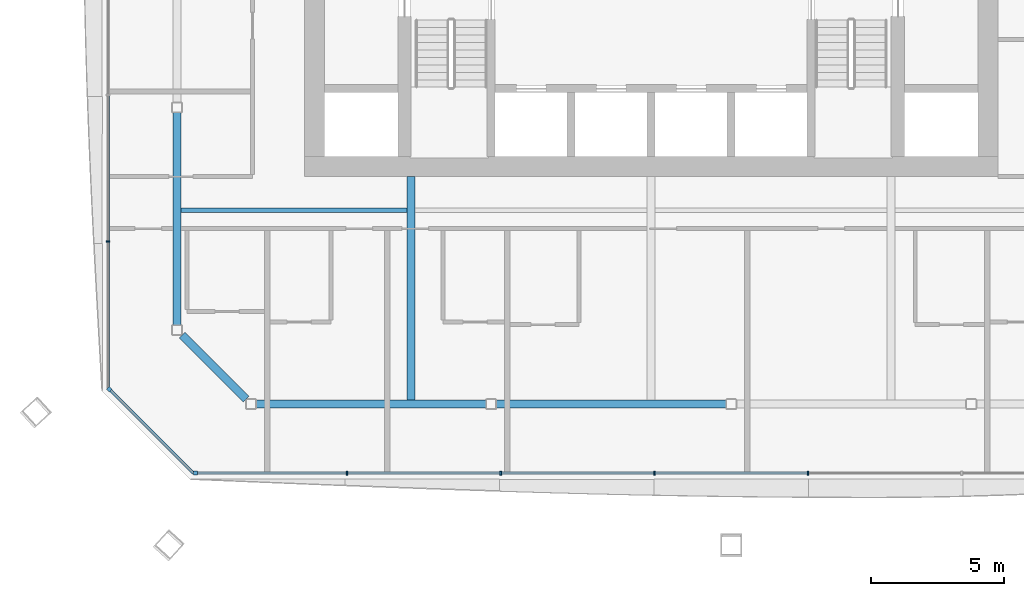
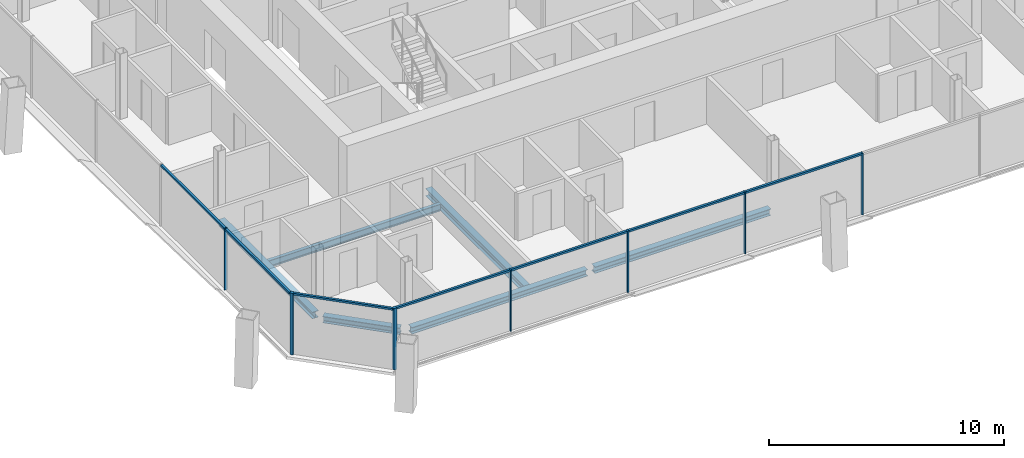
# One storey, part 3 of 21: 14 members, 6 beams, 3 elements without a shape of their own.
"""IFC4 building model written with IfcOpenShell, lengths in metres."""

from ifc_helpers import new_model, si_unit, direction, frame, origin, origin_2d, place, context, subcontext, project, spatial, rectangle, i_section, extrude, material, material_profile, profile_set, type_object, element, aggregate, save


model = new_model("IFC4")

# Units and contexts
model_context = context("Model", 3, precision=1e-05, world=origin(), true_north=direction((0.0, 1.0)))
body_context = subcontext(model_context, "Body", "Model", "MODEL_VIEW")
ifc_project = project(units=[si_unit("LENGTHUNIT", "METRE"), si_unit("AREAUNIT", "SQUARE_METRE"), si_unit("VOLUMEUNIT", "CUBIC_METRE"), si_unit("PLANEANGLEUNIT", "RADIAN"), si_unit("MASSUNIT", "GRAM", prefix="KILO")], contexts=[model_context])

# Site, building, storey
site_placement = place(None, origin())
site = spatial("IfcSite", under=ifc_project, at=site_placement, CompositionType="ELEMENT")
building_placement = place(site_placement, origin())
building = spatial("IfcBuilding", under=site, at=building_placement, Name="Tskaro Facet Tower", CompositionType="ELEMENT")
storey_placement = place(building_placement, frame((0.0, 0.0, 128.300048828125)))
storey = spatial("IfcBuildingStorey", under=building, at=storey_placement, Name="L30", CompositionType="ELEMENT", Elevation=128.300048828125)

# Curtain wall, member
ifc_material_1 = material(Name="Bronze anodised aluminium 6063-T6", Category="aluminium")
curtain_wall_type = type_object("IfcCurtainWallType", Name="Bronze hotel curtain wall (FW2)", PredefinedType="NOTDEFINED", material=ifc_material_1)
curtain_wall_1_placement = place(storey_placement, origin())
curtain_wall_1 = element("IfcCurtainWall", 1, at=curtain_wall_1_placement, inside=storey, type_object=curtain_wall_type, Name="FW2 south facet L30", PredefinedType="NOTDEFINED")
ifc_material_profile_1 = material_profile(ifc_material_1, rectangle(XDim=0.14990234375, YDim=0.14990234375, at=origin_2d()), Name="Corner post 150x150")
ifc_profile_set_1 = profile_set([ifc_material_profile_1], Name="Bronze anodised aluminium 6063-T6")
member_type_1 = type_object("IfcMemberType", Name="FW2 bronze corner post 150x150", PredefinedType="MULLION", material=ifc_profile_set_1)
member_1_placement = place(storey_placement, frame((-17.091064453125, -23.366943359375, 0.0), z_axis=(0.0, 0.0, 1.0), x_axis=(1.0, 0.0, 0.0)))
member_1 = element("IfcMember", 2, at=member_1_placement, type_object=member_type_1, Name="FW2 south corner post", PredefinedType="MULLION", context=body_context, shape_type="SweptSolid", body=[
    extrude(rectangle(XDim=0.14990234375, YDim=0.14990234375, at=origin_2d()), origin(), (0.0, 0.0, 1.0), 3.199951171875),
])

curtain_wall_2_placement = place(storey_placement, origin())
curtain_wall_2 = element("IfcCurtainWall", 3, at=curtain_wall_2_placement, inside=storey, type_object=curtain_wall_type, Name="FW2 south-west facet L30", PredefinedType="NOTDEFINED")
member_2_placement = place(storey_placement, frame((-20.31396484375, -20.218994140625, 0.0), z_axis=(0.0, 0.0, 1.0), x_axis=(0.707106781187, -0.707106781187, 0.0)))
member_2 = element("IfcMember", 4, at=member_2_placement, type_object=member_type_1, Name="FW2 south-west corner post", PredefinedType="MULLION", context=body_context, shape_type="SweptSolid", body=[
    extrude(rectangle(XDim=0.14990234375, YDim=0.14990234375, at=origin_2d()), origin(), (0.0, 0.0, 1.0), 3.199951171875),
])

# Member
ifc_material_profile_2 = material_profile(ifc_material_1, rectangle(XDim=0.06005859375, YDim=0.14990234375, at=origin_2d()), Name="Mullion 60x150")
ifc_profile_set_2 = profile_set([ifc_material_profile_2], Name="Bronze anodised aluminium 6063-T6")
member_type_2 = type_object("IfcMemberType", Name="FW2 bronze mullion 60x150", PredefinedType="MULLION", material=ifc_profile_set_2)
member_3_placement = place(storey_placement, frame((-11.404296875, -23.366943359375, 0.0), z_axis=(0.0, 0.0, 1.0), x_axis=(1.0, 0.0, 0.0)))
member_3 = element("IfcMember", 5, at=member_3_placement, type_object=member_type_2, Name="FW2 south mullion 1", PredefinedType="MULLION", context=body_context, shape_type="SweptSolid", body=[
    extrude(rectangle(XDim=0.06005859375, YDim=0.14990234375, at=origin_2d()), origin(), (0.0, 0.0, 1.0), 3.199951171875),
])

member_4_placement = place(storey_placement, frame((-5.642578125, -23.366943359375, 0.0), z_axis=(0.0, 0.0, 1.0), x_axis=(1.0, 0.0, 0.0)))
member_4 = element("IfcMember", 6, at=member_4_placement, type_object=member_type_2, Name="FW2 south mullion 2", PredefinedType="MULLION", context=body_context, shape_type="SweptSolid", body=[
    extrude(rectangle(XDim=0.06005859375, YDim=0.14990234375, at=origin_2d()), origin(), (0.0, 0.0, 1.0), 3.199951171875),
])

member_5_placement = place(storey_placement, frame((0.119140625, -23.366943359375, 0.0), z_axis=(0.0, 0.0, 1.0), x_axis=(1.0, 0.0, 0.0)))
member_5 = element("IfcMember", 7, at=member_5_placement, type_object=member_type_2, Name="FW2 south mullion 3", PredefinedType="MULLION", context=body_context, shape_type="SweptSolid", body=[
    extrude(rectangle(XDim=0.06005859375, YDim=0.14990234375, at=origin_2d()), origin(), (0.0, 0.0, 1.0), 3.199951171875),
])

member_6_placement = place(storey_placement, frame((5.880859375, -23.366943359375, 0.0), z_axis=(0.0, 0.0, 1.0), x_axis=(1.0, 0.0, 0.0)))
member_6 = element("IfcMember", 8, at=member_6_placement, type_object=member_type_2, Name="FW2 south mullion 4", PredefinedType="MULLION", context=body_context, shape_type="SweptSolid", body=[
    extrude(rectangle(XDim=0.06005859375, YDim=0.14990234375, at=origin_2d()), origin(), (0.0, 0.0, 1.0), 3.199951171875),
])

# Curtain wall, member
curtain_wall_3_placement = place(storey_placement, origin())
curtain_wall_3 = element("IfcCurtainWall", 9, at=curtain_wall_3_placement, inside=storey, type_object=curtain_wall_type, Name="FW2 west facet L30", PredefinedType="NOTDEFINED")
member_7_placement = place(storey_placement, frame((-20.366943359375, -14.677490234375, 0.0), z_axis=(0.0, 0.0, 1.0), x_axis=(0.0, -1.0, 0.0)))
member_7 = element("IfcMember", 10, at=member_7_placement, type_object=member_type_2, Name="FW2 west mullion 6", PredefinedType="MULLION", context=body_context, shape_type="SweptSolid", body=[
    extrude(rectangle(XDim=0.06005859375, YDim=0.14990234375, at=origin_2d()), origin(), (0.0, 0.0, 1.0), 3.199951171875),
])

# Member
ifc_material_profile_3 = material_profile(ifc_material_1, rectangle(XDim=0.110107421875, YDim=0.10009765625, at=origin_2d()), Name="Transom 110x100")
ifc_profile_set_3 = profile_set([ifc_material_profile_3], Name="Bronze anodised aluminium 6063-T6")
member_type_3 = type_object("IfcMemberType", Name="FW2 bronze transom 110x100", PredefinedType="USERDEFINED", material=ifc_profile_set_3)
member_8_placement = place(storey_placement, frame((-17.01611328125, -23.366943359375, 3.14990234375), z_axis=(1.0, 0.0, 0.0), x_axis=(0.0, 1.0, 0.0)))
member_8 = element("IfcMember", 11, at=member_8_placement, type_object=member_type_3, Name="FW2 south transom 1.1", ObjectType="TRANSOM", PredefinedType="USERDEFINED", context=body_context, shape_type="SweptSolid", body=[
    extrude(rectangle(XDim=0.110107421875, YDim=0.10009765625, at=origin_2d()), origin(), (0.0, 0.0, 1.0), 5.581787109375),
])

member_9_placement = place(storey_placement, frame((-11.374267578125, -23.366943359375, 3.14990234375), z_axis=(1.0, 0.0, 0.0), x_axis=(0.0, 1.0, 0.0)))
member_9 = element("IfcMember", 12, at=member_9_placement, type_object=member_type_3, Name="FW2 south transom 2.1", ObjectType="TRANSOM", PredefinedType="USERDEFINED", context=body_context, shape_type="SweptSolid", body=[
    extrude(rectangle(XDim=0.110107421875, YDim=0.10009765625, at=origin_2d()), origin(), (0.0, 0.0, 1.0), 5.70166015625),
])

member_10_placement = place(storey_placement, frame((-5.612548828125, -23.366943359375, 3.14990234375), z_axis=(1.0, 0.0, 0.0), x_axis=(0.0, 1.0, 0.0)))
member_10 = element("IfcMember", 13, at=member_10_placement, type_object=member_type_3, Name="FW2 south transom 3.1", ObjectType="TRANSOM", PredefinedType="USERDEFINED", context=body_context, shape_type="SweptSolid", body=[
    extrude(rectangle(XDim=0.110107421875, YDim=0.10009765625, at=origin_2d()), origin(), (0.0, 0.0, 1.0), 5.70166015625),
])

member_11_placement = place(storey_placement, frame((0.149169921875, -23.366943359375, 3.14990234375), z_axis=(1.0, 0.0, 0.0), x_axis=(0.0, 1.0, 0.0)))
member_11 = element("IfcMember", 14, at=member_11_placement, type_object=member_type_3, Name="FW2 south transom 4.1", ObjectType="TRANSOM", PredefinedType="USERDEFINED", context=body_context, shape_type="SweptSolid", body=[
    extrude(rectangle(XDim=0.110107421875, YDim=0.10009765625, at=origin_2d()), origin(), (0.0, 0.0, 1.0), 5.70166015625),
])

aggregate(curtain_wall_1, [member_1, member_3, member_4, member_5, member_6, member_8, member_9, member_10, member_11])

member_12_placement = place(storey_placement, frame((-20.366943359375, -9.21923828125, 3.14990234375), z_axis=(0.0, -1.0, 0.0), x_axis=(1.0, 0.0, 0.0)))
member_12 = element("IfcMember", 15, at=member_12_placement, type_object=member_type_3, Name="FW2 west transom 6.1", ObjectType="TRANSOM", PredefinedType="USERDEFINED", context=body_context, shape_type="SweptSolid", body=[
    extrude(rectangle(XDim=0.110107421875, YDim=0.10009765625, at=origin_2d()), origin(), (0.0, 0.0, 1.0), 5.42822265625),
])

member_13_placement = place(storey_placement, frame((-20.366943359375, -14.70751953125, 3.14990234375), z_axis=(0.0, -1.0, 0.0), x_axis=(1.0, 0.0, 0.0)))
member_13 = element("IfcMember", 16, at=member_13_placement, type_object=member_type_3, Name="FW2 west transom 7.1", ObjectType="TRANSOM", PredefinedType="USERDEFINED", context=body_context, shape_type="SweptSolid", body=[
    extrude(rectangle(XDim=0.110107421875, YDim=0.10009765625, at=origin_2d()), origin(), (0.0, 0.0, 1.0), 5.45849609375),
])

aggregate(curtain_wall_3, [member_7, member_12, member_13])

member_14_placement = place(storey_placement, frame((-20.260986328125, -20.27197265625, 3.14990234375), z_axis=(0.707106781187, -0.707106781187, 0.0), x_axis=(0.707106781187, 0.707106781187, 0.0)))
member_14 = element("IfcMember", 17, at=member_14_placement, type_object=member_type_3, Name="FW2 south-west transom 1.1", ObjectType="TRANSOM", PredefinedType="USERDEFINED", context=body_context, shape_type="SweptSolid", body=[
    extrude(rectangle(XDim=0.110107421875, YDim=0.10009765625, at=origin_2d()), origin(), (0.0, 0.0, 1.0), 4.376953125),
])

aggregate(curtain_wall_2, [member_2, member_14])

# Beams
ifc_material_2 = material(Name="Steel S355J2", Category="steel")
ifc_material_profile_4 = material_profile(ifc_material_2, i_section(OverallWidth=0.300048828125, OverallDepth=0.340087890625, WebThickness=0.011962890625, FlangeThickness=0.021484375, FilletRadius=0.027099609375, at=origin_2d()), Name="HE 340 B")
ifc_profile_set_4 = profile_set([ifc_material_profile_4], Name="Steel S355J2")
beam_type_1 = type_object("IfcBeamType", Name="HE 340 B ring beam", PredefinedType="BEAM", material=ifc_profile_set_4)
beam_1_placement = place(storey_placement, frame((-14.819091796875, -20.77392578125, -0.31005859375), z_axis=(1.0, 0.0, 0.0), x_axis=(0.0, 1.0, 0.0)))
element("IfcBeam", 18, at=beam_1_placement, inside=storey, type_object=beam_type_1, Name="HE 340 B EB1-3", PredefinedType="BEAM", context=body_context, shape_type="SweptSolid", body=[
    extrude(i_section(OverallWidth=0.300048828125, OverallDepth=0.340087890625, WebThickness=0.011962890625, FlangeThickness=0.021484375, FilletRadius=0.027099609375, at=origin_2d()), origin(), (0.0, 0.0, 1.0), 8.63916015625),
])
beam_2_placement = place(storey_placement, frame((-5.820068359375, -20.77392578125, -0.31005859375), z_axis=(1.0, 0.0, 0.0), x_axis=(0.0, 1.0, 0.0)))
element("IfcBeam", 19, at=beam_2_placement, inside=storey, type_object=beam_type_1, Name="HE 340 B EB2-3", PredefinedType="BEAM", context=body_context, shape_type="SweptSolid", body=[
    extrude(i_section(OverallWidth=0.300048828125, OverallDepth=0.340087890625, WebThickness=0.011962890625, FlangeThickness=0.021484375, FilletRadius=0.027099609375, at=origin_2d()), origin(), (0.0, 0.0, 1.0), 8.64013671875),
])
beam_3_placement = place(storey_placement, frame((-17.77392578125, -9.8369140625, -0.31005859375), z_axis=(0.0, -1.0, 0.0), x_axis=(1.0, 0.0, 0.0)))
element("IfcBeam", 20, at=beam_3_placement, inside=storey, type_object=beam_type_1, Name="HE 340 B EB19-3", PredefinedType="BEAM", context=body_context, shape_type="SweptSolid", body=[
    extrude(i_section(OverallWidth=0.300048828125, OverallDepth=0.340087890625, WebThickness=0.011962890625, FlangeThickness=0.021484375, FilletRadius=0.027099609375, at=origin_2d()), origin(), (0.0, 0.0, 1.0), 7.982177734375),
])
beam_4_placement = place(storey_placement, frame((-17.588134765625, -18.184814453125, -0.31005859375), z_axis=(0.707106781187, -0.707106781187, 0.0), x_axis=(0.707106781187, 0.707106781187, 0.0)))
element("IfcBeam", 21, at=beam_4_placement, inside=storey, type_object=beam_type_1, Name="HE 340 B EB20-3", PredefinedType="BEAM", context=body_context, shape_type="SweptSolid", body=[
    extrude(i_section(OverallWidth=0.300048828125, OverallDepth=0.340087890625, WebThickness=0.011962890625, FlangeThickness=0.021484375, FilletRadius=0.027099609375, at=origin_2d()), origin(), (0.0, 0.0, 1.0), 3.39892578125),
])
ifc_material_profile_5 = material_profile(ifc_material_2, i_section(OverallWidth=0.300048828125, OverallDepth=0.389892578125, WebThickness=0.010986328125, FlangeThickness=0.01904296875, FilletRadius=0.027099609375, at=origin_2d()), Name="HE 400 A")
ifc_profile_set_5 = profile_set([ifc_material_profile_5], Name="Steel S355J2")
beam_type_2 = type_object("IfcBeamType", Name="HE 400 A girder", PredefinedType="BEAM", material=ifc_profile_set_5)
beam_5_placement = place(storey_placement, frame((-9.0, -20.6240234375, -0.3349609375), z_axis=(0.0, 1.0, 0.0), x_axis=(-1.0, 0.0, 0.0)))
element("IfcBeam", 22, at=beam_5_placement, inside=storey, type_object=beam_type_2, Name="HE 400 A GB3-1-3", PredefinedType="BEAM", context=body_context, shape_type="SweptSolid", body=[
    extrude(i_section(OverallWidth=0.300048828125, OverallDepth=0.389892578125, WebThickness=0.010986328125, FlangeThickness=0.01904296875, FilletRadius=0.027099609375, at=origin_2d()), origin(), (0.0, 0.0, 1.0), 8.3740234375),
])
ifc_material_profile_6 = material_profile(ifc_material_2, i_section(OverallWidth=0.169921875, OverallDepth=0.360107421875, WebThickness=0.008056640625, FlangeThickness=0.0126953125, FilletRadius=0.01806640625, at=origin_2d()), Name="IPE 360")
ifc_profile_set_6 = profile_set([ifc_material_profile_6], Name="Steel S355J2")
beam_type_3 = type_object("IfcBeamType", Name="IPE 360 secondary beam", PredefinedType="BEAM", material=ifc_profile_set_6)
beam_6_placement = place(storey_placement, frame((-17.6240234375, -13.5, -0.320068359375), z_axis=(1.0, 0.0, 0.0), x_axis=(0.0, 1.0, 0.0)))
element("IfcBeam", 23, at=beam_6_placement, inside=storey, type_object=beam_type_3, Name="IPE 360 SB2a-1-3", PredefinedType="BEAM", context=body_context, shape_type="SweptSolid", body=[
    extrude(i_section(OverallWidth=0.169921875, OverallDepth=0.360107421875, WebThickness=0.008056640625, FlangeThickness=0.0126953125, FilletRadius=0.01806640625, at=origin_2d()), origin(), (0.0, 0.0, 1.0), 8.47412109375),
])

save(model, "model.ifc")
